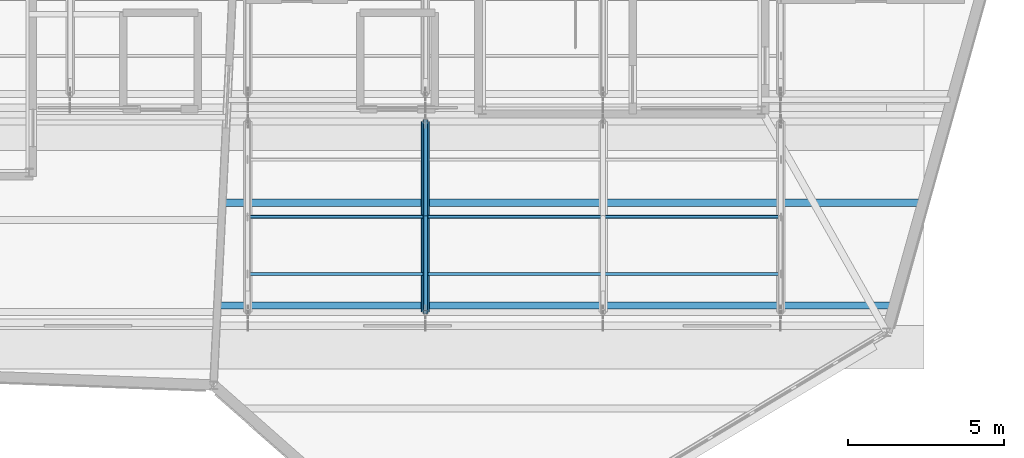
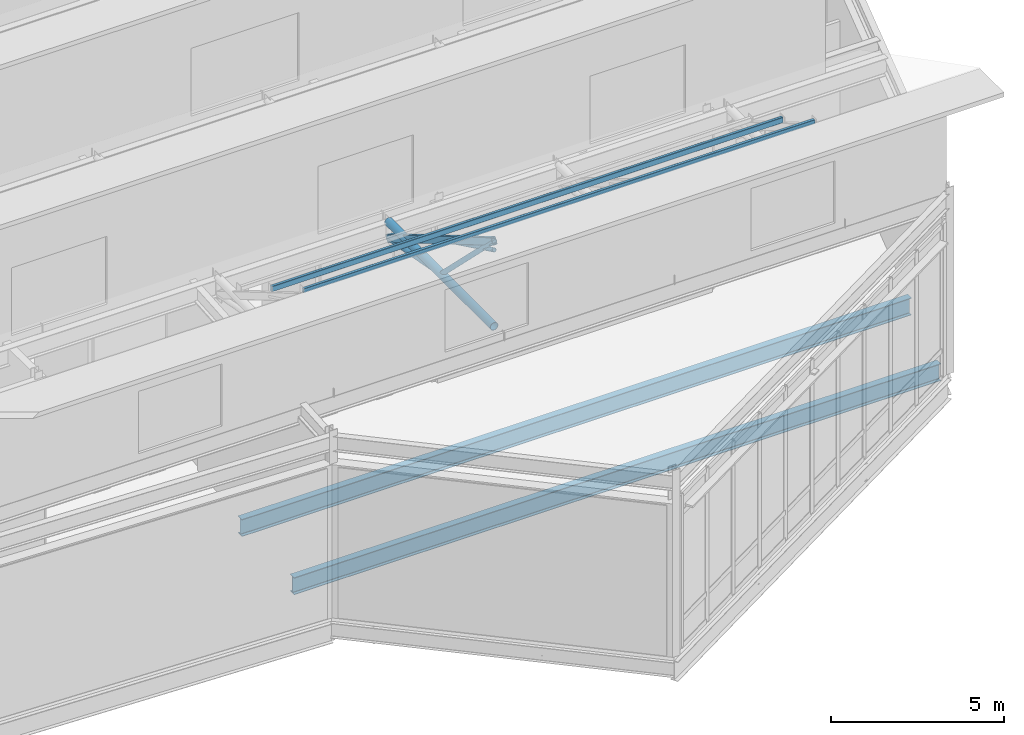
# One storey, part 16 of 55: 5 members, 4 beams.
"""IFC4 building model written with IfcOpenShell, lengths in metres."""

import ifcopenshell
import ifcopenshell.guid

model = None  # the IFC model being written
_history = None  # IfcOwnerHistory: only IFC2X3 demands one
_inside = {}  # id of a spatial element -> (the spatial element, [elements in it])
_under = {}  # id of a project, library or spatial element -> (it, [spatial elements below it])
_declared = {}  # id of a project -> (the project, [libraries it declares])
_typed = {}  # id of a type object -> (the type object, [elements of that type])
_made_of = {}  # id of a material, layer set ... -> (it, [elements and type objects made of it])


def new_model(schema):
    """Start an empty IFC model of exactly this schema.

    Asked for "IFC4X3", IfcOpenShell would pick the latest addendum, in which some entities
    have other attributes; the version numbers below select the first issue.
    IFC2X3 requires an IfcOwnerHistory on every rooted entity: one is made here for all.
    """
    global model, _history
    if schema == "IFC4X3":
        model = ifcopenshell.file(schema_version=(4, 3, 0, 0))
    else:
        model = ifcopenshell.file(schema=schema)
    _inside.clear()
    _under.clear()
    _declared.clear()
    _typed.clear()
    _made_of.clear()
    _history = None
    if model.schema == "IFC2X3":
        org = make("IfcOrganization", Name="unknown")
        user = make(
            "IfcPersonAndOrganization",
            ThePerson=make("IfcPerson", FamilyName="unknown"),
            TheOrganization=org,
        )
        app = make(
            "IfcApplication",
            ApplicationDeveloper=org,
            Version="unknown",
            ApplicationFullName="unknown",
            ApplicationIdentifier="unknown",
        )
        _history = make(
            "IfcOwnerHistory",
            OwningUser=user,
            OwningApplication=app,
            ChangeAction="ADDED",
            CreationDate=0,
        )
    return model


def make(cls, **values):
    """One entity of the class cls with the attributes given. An attribute that is None is left unset."""
    return model.create_entity(
        cls, **{name: value for name, value in values.items() if value is not None}
    )


def rooted(cls, **values):
    """An entity with a GlobalId (a new one), such as an element, a storey or a relation."""
    return make(cls, GlobalId=ifcopenshell.guid.new(), OwnerHistory=_history, **values)


def si_unit(unit_type, name, prefix=None):
    """IfcSIUnit, for example si_unit("LENGTHUNIT", "METRE", prefix="MILLI")."""
    return make("IfcSIUnit", UnitType=unit_type, Prefix=prefix, Name=name)


def assignment(units):
    """IfcUnitAssignment: the units of a project."""
    return None if units is None else make("IfcUnitAssignment", Units=units)


def point(xyz):
    """IfcCartesianPoint."""
    return None if xyz is None else make("IfcCartesianPoint", Coordinates=xyz)


def direction(xyz):
    """IfcDirection."""
    return None if xyz is None else make("IfcDirection", DirectionRatios=xyz)


def frame(location, z_axis=None, x_axis=None):
    """IfcAxis2Placement3D, a coordinate frame: its origin and axes. An axis left out is left unset."""
    return make(
        "IfcAxis2Placement3D",
        Location=point(location),
        Axis=direction(z_axis),
        RefDirection=direction(x_axis),
    )


def frame_2d(location, x_axis=None):
    """IfcAxis2Placement2D, a coordinate frame in the plane: its origin and x axis."""
    return make(
        "IfcAxis2Placement2D", Location=point(location), RefDirection=direction(x_axis)
    )


def origin():
    """The frame at (0, 0, 0) with its axes left unset."""
    return frame((0.0, 0.0, 0.0))


def origin_2d():
    """The frame at (0, 0) in the plane with its x axis left unset."""
    return frame_2d((0.0, 0.0))


def place(relative_to, where):
    """IfcLocalPlacement: puts the frame where relative to a parent placement (None: the world)."""
    return make(
        "IfcLocalPlacement", PlacementRelTo=relative_to, RelativePlacement=where
    )


def context(
    kind, dimensions, precision=None, world=None, true_north=None, identifier=None
):
    """IfcGeometricRepresentationContext, for example the 3D "Model" context."""
    return make(
        "IfcGeometricRepresentationContext",
        ContextIdentifier=identifier,
        ContextType=kind,
        CoordinateSpaceDimension=dimensions,
        Precision=precision,
        WorldCoordinateSystem=world,
        TrueNorth=true_north,
    )


def subcontext(parent, identifier, kind, view, scale=None):
    """IfcGeometricRepresentationSubContext, for example "Body" below "Model"."""
    return make(
        "IfcGeometricRepresentationSubContext",
        ContextIdentifier=identifier,
        ContextType=kind,
        ParentContext=parent,
        TargetScale=scale,
        TargetView=view,
    )


def project(units=None, contexts=None):
    """IfcProject with its units and contexts."""
    return rooted(
        "IfcProject",
        Name="project",
        RepresentationContexts=contexts,
        UnitsInContext=assignment(units),
    )


def spatial(cls, under=None, at=None, **own):
    """A site, building, storey or space (cls), placed at a placement, below another one or the project."""
    s = rooted(cls, ObjectPlacement=at, **own)
    if under is not None:
        _under.setdefault(under.id(), (under, []))[1].append(s)
    return s


def profile(cls, at=None, kind="AREA", **sizes):
    """A parametric profile (cls). Its sizes go by their IFC names, for example OverallWidth=200.0."""
    return make(cls, ProfileType=kind, Position=at, **sizes)


def hollow_rectangle(**sizes):
    """IfcRectangleHollowProfileDef."""
    return profile("IfcRectangleHollowProfileDef", **sizes)


def hollow_circle(**sizes):
    """IfcCircleHollowProfileDef."""
    return profile("IfcCircleHollowProfileDef", **sizes)


def i_section(**sizes):
    """IfcIShapeProfileDef."""
    return profile("IfcIShapeProfileDef", **sizes)


def extrude(swept, where, along, depth):
    """IfcExtrudedAreaSolid: the profile swept, set in the frame where, extruded along a direction by depth."""
    return make(
        "IfcExtrudedAreaSolid",
        SweptArea=swept,
        Position=where,
        ExtrudedDirection=direction(along),
        Depth=depth,
    )


def shape(context_of_items, identifier, shape_type, items):
    """IfcShapeRepresentation: the items that make up one representation, for example the "Body"."""
    return make(
        "IfcShapeRepresentation",
        ContextOfItems=context_of_items,
        RepresentationIdentifier=identifier,
        RepresentationType=shape_type,
        Items=items,
    )


def material(Name=None, Category=None):
    """IfcMaterial."""
    return make("IfcMaterial", Name=Name, Category=Category)


def material_profile(
    of_material, cross_section, Name=None, Category=None, Priority=None
):
    """IfcMaterialProfile: a cross section and its material."""
    return make(
        "IfcMaterialProfile",
        Name=Name,
        Material=of_material,
        Profile=cross_section,
        Priority=Priority,
        Category=Category,
    )


def profile_set(profiles, Name=None, composite=None):
    """IfcMaterialProfileSet."""
    return make(
        "IfcMaterialProfileSet",
        Name=Name,
        MaterialProfiles=profiles,
        CompositeProfile=composite,
    )


def made_of(thing, what):
    """Note that an element or type object is made of a material, layer set ...; save() writes the relation."""
    if what is not None:
        _made_of.setdefault(what.id(), (what, []))[1].append(thing)
    return thing


def type_object(cls, material=None, **own):
    """A type object (cls), such as IfcWallType, which elements share."""
    return made_of(rooted(cls, **own), material)


def element(
    cls,
    number,
    at=None,
    inside=None,
    cuts=None,
    type_object=None,
    material=None,
    context=None,
    identifier="Body",
    shape_type=None,
    held_by="IfcProductDefinitionShape",
    body=None,
    shapes=None,
    **own,
):
    """One element of the class cls, such as IfcWall. Its Tag is "e" and its number.

    at: its placement. inside: the storey or other place that contains it. cuts: it is an
    opening in that element (IfcRelVoidsElement). A single representation is given by context,
    identifier, shape_type and body (its items); several are given by shapes. held_by: the class
    of the entity that holds the representations. save() writes the other relations.
    """
    e = rooted(cls, Tag="e%d" % number, ObjectPlacement=at, **own)
    if body is not None:
        shapes = [shape(context, identifier, shape_type, body)]
    if shapes is not None:
        e.Representation = make(held_by, Representations=shapes)
    if inside is not None:
        _inside.setdefault(inside.id(), (inside, []))[1].append(e)
    if cuts is not None:
        rooted(
            "IfcRelVoidsElement", RelatingBuildingElement=cuts, RelatedOpeningElement=e
        )
    if type_object is not None:
        _typed.setdefault(type_object.id(), (type_object, []))[1].append(e)
    return made_of(e, material)


def aggregate(whole, parts):
    """IfcRelAggregates: a whole, such as a stair, and the parts it consists of."""
    return rooted("IfcRelAggregates", RelatingObject=whole, RelatedObjects=parts)


def save(model, path):
    """Write the relations noted so far, then the file.

    IfcRelAggregates (storeys below a building ...), IfcRelContainedInSpatialStructure (elements
    in a storey), IfcRelDefinesByType, IfcRelAssociatesMaterial and IfcRelDeclares: one each for
    every whole, place, type object, material and project.
    """
    for whole, parts in _under.values():
        aggregate(whole, parts)
    for where, things in _inside.values():
        rooted(
            "IfcRelContainedInSpatialStructure",
            RelatedElements=things,
            RelatingStructure=where,
        )
    for kind, things in _typed.values():
        rooted("IfcRelDefinesByType", RelatedObjects=things, RelatingType=kind)
    for what, things in _made_of.values():
        rooted("IfcRelAssociatesMaterial", RelatedObjects=things, RelatingMaterial=what)
    for by, libraries in _declared.values():
        rooted("IfcRelDeclares", RelatingContext=by, RelatedDefinitions=libraries)
    model.write(path)


model = new_model("IFC4")

# Units and contexts
model_context = context("Model", 3, precision=1e-05, world=origin(), true_north=direction((0.0, 1.0)))
body_context = subcontext(model_context, "Body", "Model", "MODEL_VIEW")
ifc_project = project(units=[si_unit("LENGTHUNIT", "METRE"), si_unit("AREAUNIT", "SQUARE_METRE"), si_unit("VOLUMEUNIT", "CUBIC_METRE"), si_unit("PLANEANGLEUNIT", "RADIAN"), si_unit("MASSUNIT", "GRAM", prefix="KILO")], contexts=[model_context])

# Site, building, storey
site_placement = place(None, origin())
site = spatial("IfcSite", under=ifc_project, at=site_placement, CompositionType="ELEMENT")
building_placement = place(site_placement, origin())
building = spatial("IfcBuilding", under=site, at=building_placement, Name="Tameran Prism Museum", CompositionType="ELEMENT")
storey_placement = place(building_placement, frame((0.0, 0.0, 28.800048828125)))
storey = spatial("IfcBuildingStorey", under=building, at=storey_placement, Name="L05", CompositionType="ELEMENT", Elevation=28.800048828125)

# Beams
ifc_material_1 = material(Name="Steel Grade C350L0 (350 MPa)", Category="steel")
ifc_material_profile_1 = material_profile(ifc_material_1, hollow_rectangle(XDim=0.10009765625, YDim=0.14990234375, WallThickness=0.006103515625, InnerFilletRadius=0.009033203125, OuterFilletRadius=0.014892578125, at=origin_2d()))
ifc_profile_set_1 = profile_set([ifc_material_profile_1])
beam_type_1 = type_object("IfcBeamType", Name="BM-PUR150", PredefinedType="USERDEFINED", material=ifc_profile_set_1)
beam_1_placement = place(storey_placement, frame((119.0, 74.1640625, 8.9140625), z_axis=(1.0, 0.0, 0.0), x_axis=(0.0, 1.0, 0.0)))
element("IfcBeam", 1, at=beam_1_placement, inside=storey, type_object=beam_type_1, Name="Sawtooth Purlin PR-001", ObjectType="PURLIN", PredefinedType="USERDEFINED", context=body_context, shape_type="SweptSolid", body=[
    extrude(hollow_rectangle(XDim=0.10009765625, YDim=0.14990234375, WallThickness=0.006103515625, InnerFilletRadius=0.009033203125, OuterFilletRadius=0.014892578125, at=origin_2d()), origin(), (0.0, 0.0, 1.0), 17.10009765625),
])
ifc_material_2 = material(Name="Steel Grade C350L0 (350 MPa)", Category="steel")
ifc_material_profile_2 = material_profile(ifc_material_2, hollow_rectangle(XDim=0.10009765625, YDim=0.199951171875, WallThickness=0.008056640625, InnerFilletRadius=0.011962890625, OuterFilletRadius=0.02001953125, at=origin_2d()))
ifc_profile_set_2 = profile_set([ifc_material_profile_2])
beam_type_2 = type_object("IfcBeamType", Name="BM-PUR200", PredefinedType="USERDEFINED", material=ifc_profile_set_2)
beam_2_placement = place(storey_placement, frame((119.0, 76.0, 7.863037109375), z_axis=(1.0, 0.0, 0.0), x_axis=(0.0, 1.0, 0.0)))
element("IfcBeam", 2, at=beam_2_placement, inside=storey, type_object=beam_type_2, Name="Sawtooth Purlin PR-002", ObjectType="PURLIN", PredefinedType="USERDEFINED", context=body_context, shape_type="SweptSolid", body=[
    extrude(hollow_rectangle(XDim=0.10009765625, YDim=0.199951171875, WallThickness=0.008056640625, InnerFilletRadius=0.011962890625, OuterFilletRadius=0.02001953125, at=origin_2d()), origin(), (0.0, 0.0, 1.0), 17.10009765625),
])
ifc_material_3 = material(Name="Steel Grade 300PLUS (300 MPa)", Category="steel")
ifc_material_profile_3 = material_profile(ifc_material_3, i_section(OverallWidth=0.22802734375, OverallDepth=0.60693359375, WebThickness=0.01123046875, FlangeThickness=0.017333984375, FilletRadius=0.013916015625, at=origin_2d()))
ifc_profile_set_3 = profile_set([ifc_material_profile_3])
beam_type_3 = type_object("IfcBeamType", Name="BM-UB610B", PredefinedType="BEAM", material=ifc_profile_set_3)
beam_3_placement = place(storey_placement, frame((118.06396484375, 73.14990234375, -0.54345703125), z_axis=(1.0, 0.0, 0.0), x_axis=(0.0, 1.0, 0.0)))
element("IfcBeam", 3, at=beam_3_placement, inside=storey, type_object=beam_type_3, Name="Floor Beam BM-1295", PredefinedType="BEAM", context=body_context, shape_type="SweptSolid", body=[
    extrude(i_section(OverallWidth=0.22802734375, OverallDepth=0.60693359375, WebThickness=0.01123046875, FlangeThickness=0.017333984375, FilletRadius=0.013916015625, at=origin_2d()), origin(), (0.0, 0.0, 1.0), 21.632080078125),
])
beam_4_placement = place(storey_placement, frame((118.22509765625, 76.449951171875, -0.54345703125), z_axis=(1.0, 0.0, 0.0), x_axis=(0.0, 1.0, 0.0)))
element("IfcBeam", 4, at=beam_4_placement, inside=storey, type_object=beam_type_3, Name="Floor Beam BM-1296", PredefinedType="BEAM", context=body_context, shape_type="SweptSolid", body=[
    extrude(i_section(OverallWidth=0.22802734375, OverallDepth=0.60693359375, WebThickness=0.01123046875, FlangeThickness=0.017333984375, FilletRadius=0.013916015625, at=origin_2d()), origin(), (0.0, 0.0, 1.0), 22.391845703125),
])

# Members
ifc_material_4 = material(Name="Steel Grade C350L0 (350 MPa)", Category="steel")
ifc_material_profile_4 = material_profile(ifc_material_4, hollow_circle(Radius=0.084228515625, WallThickness=0.007080078125, at=origin_2d()))
ifc_profile_set_4 = profile_set([ifc_material_profile_4])
member_type_1 = type_object("IfcMemberType", Name="MM-BR-CHS168", PredefinedType="BRACE", material=ifc_profile_set_4)
member_1_placement = place(storey_placement, frame((124.699951171875, 76.0, 6.385986328125), z_axis=(0.0, -0.711407246691, 0.70278000068), x_axis=(1.0, 0.0, 0.0)))
element("IfcMember", 5, at=member_1_placement, inside=storey, type_object=member_type_1, Name="Sawtooth Brace STM-0012", PredefinedType="BRACE", context=body_context, shape_type="SweptSolid", body=[
    extrude(hollow_circle(Radius=0.084228515625, WallThickness=0.007080078125, at=origin_2d()), origin(), (0.0, 0.0, 1.0), 4.301513671875),
])
member_2_placement = place(storey_placement, frame((124.699951171875, 76.0, 6.385986328125), z_axis=(0.0, 0.982674587879, -0.185339295177), x_axis=(-1.0, 0.0, 0.0)))
element("IfcMember", 6, at=member_2_placement, inside=storey, type_object=member_type_1, Name="Sawtooth Brace STM-0013", PredefinedType="BRACE", context=body_context, shape_type="SweptSolid", body=[
    extrude(hollow_circle(Radius=0.084228515625, WallThickness=0.007080078125, at=origin_2d()), origin(), (0.0, 0.0, 1.0), 3.114013671875),
])
ifc_material_5 = material(Name="Steel Grade C350L0 (350 MPa)", Category="steel")
ifc_material_profile_5 = material_profile(ifc_material_5, hollow_circle(Radius=0.136474609375, WallThickness=0.00927734375, at=origin_2d()))
ifc_profile_set_5 = profile_set([ifc_material_profile_5])
member_type_2 = type_object("IfcMemberType", Name="MM-CH-CHS273", PredefinedType="CHORD", material=ifc_profile_set_5)
member_3_placement = place(storey_placement, frame((124.699951171875, 72.93994140625, 6.385986328125), z_axis=(0.0, 1.0, 0.0), x_axis=(-1.0, 0.0, 0.0)))
element("IfcMember", 7, at=member_3_placement, inside=storey, type_object=member_type_2, Name="Sawtooth Chord STM-0008", PredefinedType="CHORD", context=body_context, shape_type="SweptSolid", body=[
    extrude(hollow_circle(Radius=0.136474609375, WallThickness=0.00927734375, at=origin_2d()), origin(), (0.0, 0.0, 1.0), 6.1201171875),
])
ifc_material_6 = material(Name="Steel Grade C350L0 (350 MPa)", Category="steel")
ifc_material_profile_6 = material_profile(ifc_material_6, hollow_rectangle(XDim=0.14990234375, YDim=0.25, WallThickness=0.009033203125, InnerFilletRadius=0.013427734375, OuterFilletRadius=0.0224609375, at=origin_2d()))
ifc_profile_set_6 = profile_set([ifc_material_profile_6])
member_type_3 = type_object("IfcMemberType", Name="MM-RF-RHS250", PredefinedType="RAFTER", material=ifc_profile_set_6)
member_4_placement = place(storey_placement, frame((124.699951171875, 72.93994140625, 9.408935546875), z_axis=(0.0, 0.861932447349, -0.507023131826), x_axis=(-1.0, 0.0, 0.0)))
element("IfcMember", 8, at=member_4_placement, inside=storey, type_object=member_type_3, Name="Sawtooth Rafter STM-0009", PredefinedType="RAFTER", context=body_context, shape_type="SweptSolid", body=[
    extrude(hollow_rectangle(XDim=0.14990234375, YDim=0.25, WallThickness=0.009033203125, InnerFilletRadius=0.013427734375, OuterFilletRadius=0.0224609375, at=origin_2d()), origin(), (0.0, 0.0, 1.0), 7.100341796875),
])
ifc_material_7 = material(Name="Steel Grade C350L0 (350 MPa)", Category="steel")
ifc_material_profile_7 = material_profile(ifc_material_7, hollow_circle(Radius=0.06982421875, WallThickness=0.00634765625, at=origin_2d()))
ifc_profile_set_7 = profile_set([ifc_material_profile_7])
member_type_4 = type_object("IfcMemberType", Name="MM-ST-CHS140", PredefinedType="STRUT", material=ifc_profile_set_7)
member_5_placement = place(storey_placement, frame((124.699951171875, 72.93994140625, 9.0888671875), z_axis=(0.0, 0.900239175025, -0.435395713978), x_axis=(-1.0, 0.0, 0.0)))
element("IfcMember", 9, at=member_5_placement, inside=storey, type_object=member_type_4, Name="Sawtooth Strut STM-0014", PredefinedType="STRUT", context=body_context, shape_type="SweptSolid", body=[
    extrude(hollow_circle(Radius=0.06982421875, WallThickness=0.00634765625, at=origin_2d()), origin(), (0.0, 0.0, 1.0), 3.399169921875),
])

save(model, "model.ifc")
